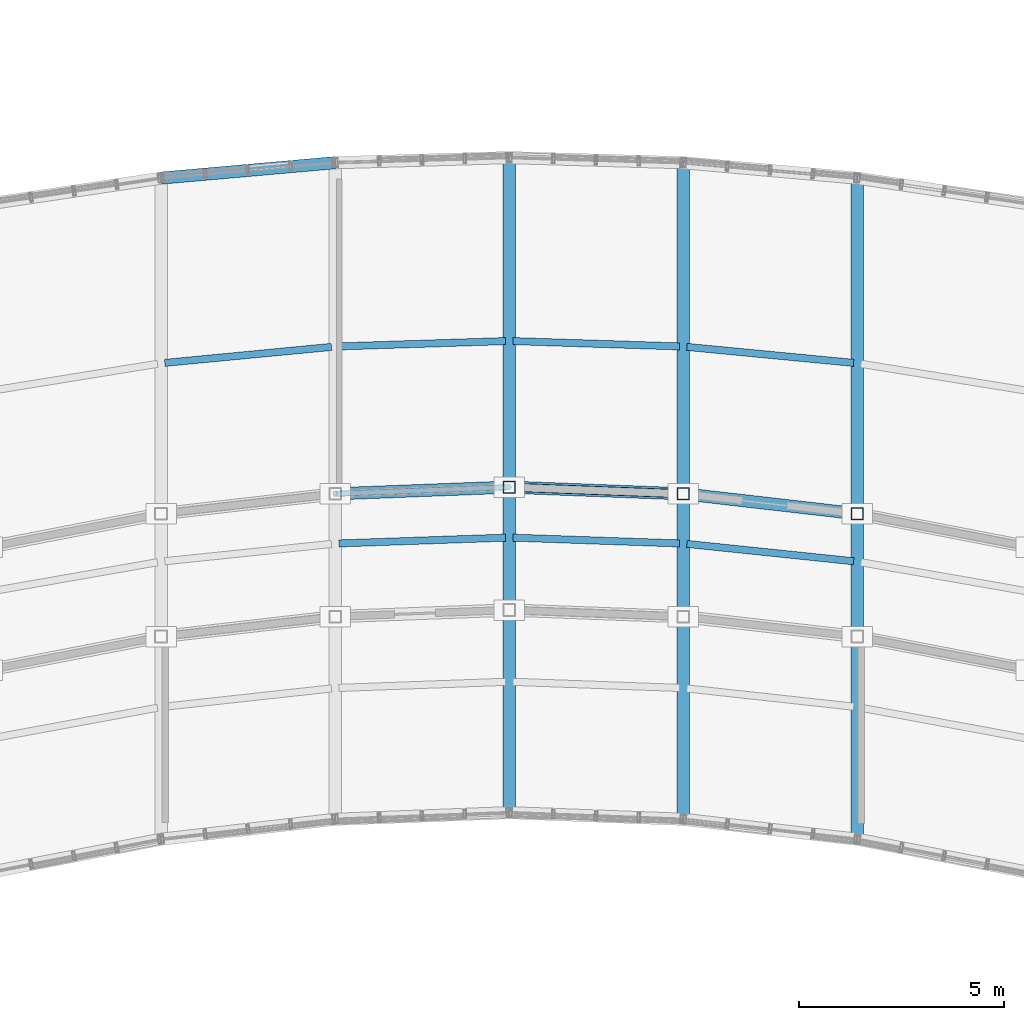
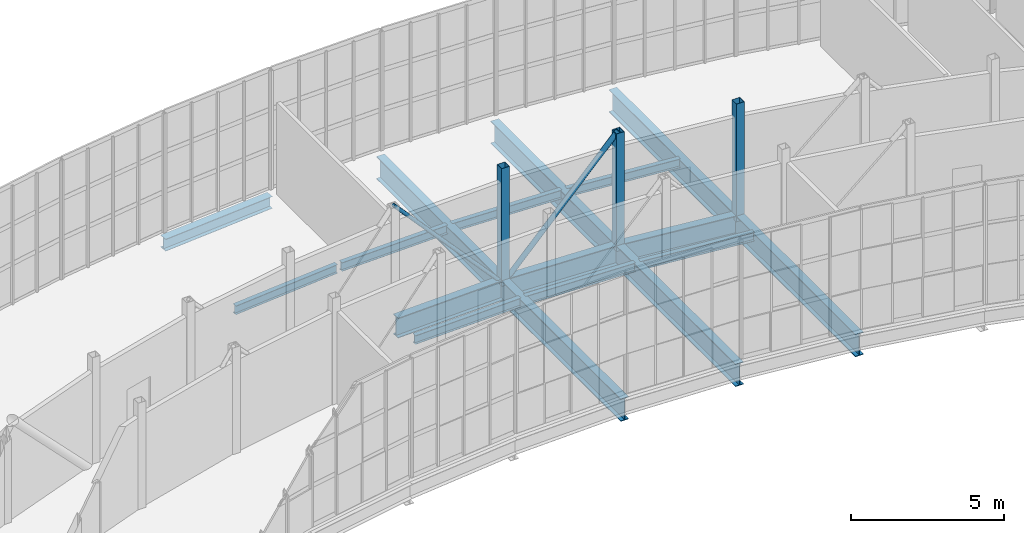
# One storey, part 44 of 86: 14 beams, 5 members.
"""IFC4 building model written with IfcOpenShell, lengths in metres."""

from ifc_helpers import new_model, si_unit, direction, frame, origin, origin_2d, place, context, subcontext, project, spatial, hollow_rectangle, hollow_circle, i_section, extrude, material, material_profile, profile_set, type_object, element, save


model = new_model("IFC4")

# Units and contexts
model_context = context("Model", 3, precision=1e-05, world=origin(), true_north=direction((0.0, 1.0)))
body_context = subcontext(model_context, "Body", "Model", "MODEL_VIEW")
ifc_project = project(units=[si_unit("LENGTHUNIT", "METRE"), si_unit("AREAUNIT", "SQUARE_METRE"), si_unit("VOLUMEUNIT", "CUBIC_METRE"), si_unit("PLANEANGLEUNIT", "RADIAN"), si_unit("MASSUNIT", "GRAM", prefix="KILO")], contexts=[model_context])

# Site, building, storey
site_placement = place(None, origin())
site = spatial("IfcSite", under=ifc_project, at=site_placement, CompositionType="ELEMENT")
building_placement = place(site_placement, origin())
building = spatial("IfcBuilding", under=site, at=building_placement, Name="Solvikara Media Centre", CompositionType="ELEMENT")
storey_placement = place(building_placement, frame((0.0, 0.0, 15.0)))
storey = spatial("IfcBuildingStorey", under=building, at=storey_placement, Name="L03", CompositionType="ELEMENT", Elevation=15.0)

# Beams
ifc_material = material(Name="Steel S355JR", Category="steel")
ifc_material_profile_1 = material_profile(ifc_material, i_section(OverallWidth=0.300048828125, OverallDepth=0.89990234375, WebThickness=0.01611328125, FlangeThickness=0.028076171875, at=origin_2d()), Name="WF 900x300x16x28")
ifc_profile_set_1 = profile_set([ifc_material_profile_1], Name="Steel S355JR")
beam_type_1 = type_object("IfcBeamType", Name="BM-15", PredefinedType="BEAM", material=ifc_profile_set_1)
beam_1_placement = place(storey_placement, frame((102.0, 25.467041015625, -0.672119140625), z_axis=(0.0, 1.0, 0.0), x_axis=(-1.0, 0.0, 0.0)))
element("IfcBeam", 1, at=beam_1_placement, inside=storey, type_object=beam_type_1, Name="BG-L03-NS-06", PredefinedType="BEAM", context=body_context, shape_type="SweptSolid", body=[
    extrude(i_section(OverallWidth=0.300048828125, OverallDepth=0.89990234375, WebThickness=0.01611328125, FlangeThickness=0.028076171875, at=origin_2d()), origin(), (0.0, 0.0, 1.0), 16.0),
])
beam_2_placement = place(storey_placement, frame((106.25, 25.304931640625, -0.672119140625), z_axis=(0.0, 1.0, 0.0), x_axis=(-1.0, 0.0, 0.0)))
element("IfcBeam", 2, at=beam_2_placement, inside=storey, type_object=beam_type_1, Name="BG-L03-NS-07", PredefinedType="BEAM", context=body_context, shape_type="SweptSolid", body=[
    extrude(i_section(OverallWidth=0.300048828125, OverallDepth=0.89990234375, WebThickness=0.01611328125, FlangeThickness=0.028076171875, at=origin_2d()), origin(), (0.0, 0.0, 1.0), 16.0361328125),
])
beam_3_placement = place(storey_placement, frame((110.5, 24.818115234375, -0.672119140625), z_axis=(0.0, 1.0, 0.0), x_axis=(-1.0, 0.0, 0.0)))
element("IfcBeam", 3, at=beam_3_placement, inside=storey, type_object=beam_type_1, Name="BG-L03-NS-08", PredefinedType="BEAM", context=body_context, shape_type="SweptSolid", body=[
    extrude(i_section(OverallWidth=0.300048828125, OverallDepth=0.89990234375, WebThickness=0.01611328125, FlangeThickness=0.028076171875, at=origin_2d()), origin(), (0.0, 0.0, 1.0), 16.14599609375),
])
ifc_material_profile_2 = material_profile(ifc_material, i_section(OverallWidth=0.300048828125, OverallDepth=0.800048828125, WebThickness=0.013916015625, FlangeThickness=0.02587890625, at=origin_2d()), Name="WF 800x300x14x26")
ifc_profile_set_2 = profile_set([ifc_material_profile_2], Name="Steel S355JR")
beam_type_2 = type_object("IfcBeamType", Name="BM-16", PredefinedType="BEAM", material=ifc_profile_set_2)
for number, where, z_axis, x_axis, name in (
    (4, (97.840087890625, 33.258056640625, -0.6220703125), (0.999266124753, 0.038304202383, 0.0), (-0.038304202383, 0.999266124753, 0.0), "B-L03-SPNN-05"),
    (5, (102.090087890625, 33.4140625, -0.6220703125), (0.999266124753, -0.038304202383, 0.0), (0.038304202383, 0.999266124753, 0.0), "B-L03-SPNN-06"),
):
    element("IfcBeam", number, at=place(storey_placement, frame(where, z_axis=z_axis, x_axis=x_axis)), inside=storey, type_object=beam_type_2, Name=name, PredefinedType="BEAM", context=body_context, shape_type="SweptSolid", body=[
        extrude(i_section(OverallWidth=0.300048828125, OverallDepth=0.800048828125, WebThickness=0.013916015625, FlangeThickness=0.02587890625, at=origin_2d()), origin(), (0.0, 0.0, 1.0), 4.07275390625),
    ])
beam_4_placement = place(storey_placement, frame((106.339111328125, 33.2451171875, -0.6220703125), z_axis=(0.993485932274, -0.113954826025, 0.0), x_axis=(0.113954826025, 0.993485932274, 0.0)))
element("IfcBeam", 6, at=beam_4_placement, inside=storey, type_object=beam_type_2, Name="B-L03-SPNN-07", PredefinedType="BEAM", context=body_context, shape_type="SweptSolid", body=[
    extrude(i_section(OverallWidth=0.300048828125, OverallDepth=0.800048828125, WebThickness=0.013916015625, FlangeThickness=0.02587890625, at=origin_2d()), origin(), (0.0, 0.0, 1.0), 4.098388671875),
])
ifc_material_profile_3 = material_profile(ifc_material, i_section(OverallWidth=0.175048828125, OverallDepth=0.35009765625, WebThickness=0.007080078125, FlangeThickness=0.010986328125, at=origin_2d()), Name="WF 350x175x7x11")
ifc_profile_set_3 = profile_set([ifc_material_profile_3], Name="Steel S355JR")
beam_type_3 = type_object("IfcBeamType", Name="BM-22", PredefinedType="JOIST", material=ifc_profile_set_3)
beam_5_placement = place(storey_placement, frame((93.590087890625, 36.451904296875, -0.39697265625), z_axis=(0.995436776487, 0.095423393451, 0.0), x_axis=(-0.095423393451, 0.995436776487, 0.0)))
element("IfcBeam", 7, at=beam_5_placement, inside=storey, type_object=beam_type_3, Name="BJ-L03-04-72", PredefinedType="JOIST", context=body_context, shape_type="SweptSolid", body=[
    extrude(i_section(OverallWidth=0.175048828125, OverallDepth=0.35009765625, WebThickness=0.007080078125, FlangeThickness=0.010986328125, at=origin_2d()), origin(), (0.0, 0.0, 1.0), 4.08837890625),
])
beam_6_placement = place(storey_placement, frame((97.840087890625, 32.04296875, -0.39697265625), z_axis=(0.999399430727, 0.034652241809, 0.0), x_axis=(-0.034652241809, 0.999399430727, 0.0)))
element("IfcBeam", 8, at=beam_6_placement, inside=storey, type_object=beam_type_3, Name="BJ-L03-05-42", PredefinedType="JOIST", context=body_context, shape_type="SweptSolid", body=[
    extrude(i_section(OverallWidth=0.175048828125, OverallDepth=0.35009765625, WebThickness=0.007080078125, FlangeThickness=0.010986328125, at=origin_2d()), origin(), (0.0, 0.0, 1.0), 4.072265625),
])
beam_7_placement = place(storey_placement, frame((97.840087890625, 36.85400390625, -0.39697265625), z_axis=(0.999491149174, 0.031897378006, 0.0), x_axis=(-0.031897378006, 0.999491149174, 0.0)))
element("IfcBeam", 9, at=beam_7_placement, inside=storey, type_object=beam_type_3, Name="BJ-L03-05-72", PredefinedType="JOIST", context=body_context, shape_type="SweptSolid", body=[
    extrude(i_section(OverallWidth=0.175048828125, OverallDepth=0.35009765625, WebThickness=0.007080078125, FlangeThickness=0.010986328125, at=origin_2d()), origin(), (0.0, 0.0, 1.0), 4.07177734375),
])
beam_8_placement = place(storey_placement, frame((102.090087890625, 32.18408203125, -0.39697265625), z_axis=(0.999399430727, -0.034652241809, 0.0), x_axis=(0.034652241809, 0.999399430727, 0.0)))
element("IfcBeam", 10, at=beam_8_placement, inside=storey, type_object=beam_type_3, Name="BJ-L03-06-42", PredefinedType="JOIST", context=body_context, shape_type="SweptSolid", body=[
    extrude(i_section(OverallWidth=0.175048828125, OverallDepth=0.35009765625, WebThickness=0.007080078125, FlangeThickness=0.010986328125, at=origin_2d()), origin(), (0.0, 0.0, 1.0), 4.072265625),
])
beam_9_placement = place(storey_placement, frame((102.090087890625, 36.98388671875, -0.39697265625), z_axis=(0.999491149174, -0.031897378006, 0.0), x_axis=(0.031897378006, 0.999491149174, 0.0)))
element("IfcBeam", 11, at=beam_9_placement, inside=storey, type_object=beam_type_3, Name="BJ-L03-06-72", PredefinedType="JOIST", context=body_context, shape_type="SweptSolid", body=[
    extrude(i_section(OverallWidth=0.175048828125, OverallDepth=0.35009765625, WebThickness=0.007080078125, FlangeThickness=0.010986328125, at=origin_2d()), origin(), (0.0, 0.0, 1.0), 4.07177734375),
])
beam_10_placement = place(storey_placement, frame((106.340087890625, 32.031005859375, -0.39697265625), z_axis=(0.99463965164, -0.103401950587, 0.0), x_axis=(0.103401950587, 0.99463965164, 0.0)))
element("IfcBeam", 12, at=beam_10_placement, inside=storey, type_object=beam_type_3, Name="BJ-L03-07-42", PredefinedType="JOIST", context=body_context, shape_type="SweptSolid", body=[
    extrude(i_section(OverallWidth=0.175048828125, OverallDepth=0.35009765625, WebThickness=0.007080078125, FlangeThickness=0.010986328125, at=origin_2d()), origin(), (0.0, 0.0, 1.0), 4.091796875),
])
beam_11_placement = place(storey_placement, frame((106.340087890625, 36.842041015625, -0.39697265625), z_axis=(0.995436776487, -0.095423393451, 0.0), x_axis=(0.095423393451, 0.995436776487, 0.0)))
element("IfcBeam", 13, at=beam_11_placement, inside=storey, type_object=beam_type_3, Name="BJ-L03-07-72", PredefinedType="JOIST", context=body_context, shape_type="SweptSolid", body=[
    extrude(i_section(OverallWidth=0.175048828125, OverallDepth=0.35009765625, WebThickness=0.007080078125, FlangeThickness=0.010986328125, at=origin_2d()), origin(), (0.0, 0.0, 1.0), 4.08837890625),
])
ifc_material_profile_4 = material_profile(ifc_material, i_section(OverallWidth=0.300048828125, OverallDepth=0.48193359375, WebThickness=0.010986328125, FlangeThickness=0.014892578125, at=origin_2d()), Name="WF 482x300x11x15")
ifc_profile_set_4 = profile_set([ifc_material_profile_4], Name="Steel S355JR")
beam_type_4 = type_object("IfcBeamType", Name="BM-32", PredefinedType="SPANDREL", material=ifc_profile_set_4)
beam_12_placement = place(storey_placement, frame((93.5, 40.964111328125, -0.462890625), z_axis=(0.996089667749, 0.088348026597, 0.0), x_axis=(-0.088348026597, 0.996089667749, 0.0)))
element("IfcBeam", 14, at=beam_12_placement, inside=storey, type_object=beam_type_4, Name="B-L03-NARC-04", PredefinedType="SPANDREL", context=body_context, shape_type="SweptSolid", body=[
    extrude(i_section(OverallWidth=0.300048828125, OverallDepth=0.48193359375, WebThickness=0.010986328125, FlangeThickness=0.014892578125, at=origin_2d()), origin(), (0.0, 0.0, 1.0), 4.2666015625),
])

# Members
ifc_material_profile_5 = material_profile(ifc_material, hollow_circle(Radius=0.096923828125, WallThickness=0.008056640625, at=origin_2d()), Name="CHS 193.7x8")
ifc_profile_set_5 = profile_set([ifc_material_profile_5], Name="Steel S355JR")
member_type_1 = type_object("IfcMemberType", Name="MB-06", PredefinedType="BRACE", material=ifc_profile_set_5)
member_1_placement = place(storey_placement, frame((102.0, 33.4169921875, -0.449951171875), z_axis=(0.67049113608, -0.025574799768, 0.741476611941), x_axis=(0.038115664855, 0.999273334025, 0.0)))
element("IfcMember", 15, at=member_1_placement, inside=storey, type_object=member_type_1, Name="WTR-L03-N-DA06", PredefinedType="BRACE", context=body_context, shape_type="SweptSolid", body=[
    extrude(hollow_circle(Radius=0.096923828125, WallThickness=0.008056640625, at=origin_2d()), origin(), (0.0, 0.0, 1.0), 6.338623046875),
])
ifc_material_profile_6 = material_profile(ifc_material, hollow_circle(Radius=0.06982421875, WallThickness=0.00634765625, at=origin_2d()), Name="CHS 139.7x6.3")
ifc_profile_set_6 = profile_set([ifc_material_profile_6], Name="Steel S355JR")
member_type_2 = type_object("IfcMemberType", Name="MB-08", PredefinedType="BRACE", material=ifc_profile_set_6)
member_2_placement = place(storey_placement, frame((97.75, 33.2548828125, 4.25), z_axis=(0.67049113608, 0.025574799768, -0.741476611941), x_axis=(-0.038115664855, 0.999273334025, 0.0)))
element("IfcMember", 16, at=member_2_placement, inside=storey, type_object=member_type_2, Name="WTR-L03-N-DB05", PredefinedType="BRACE", context=body_context, shape_type="SweptSolid", body=[
    extrude(hollow_circle(Radius=0.06982421875, WallThickness=0.00634765625, at=origin_2d()), origin(), (0.0, 0.0, 1.0), 6.338623046875),
])
ifc_material_profile_7 = material_profile(ifc_material, hollow_rectangle(XDim=0.300048828125, YDim=0.300048828125, WallThickness=0.012451171875, at=origin_2d()), Name="RHS 300x300x12.5")
ifc_profile_set_7 = profile_set([ifc_material_profile_7], Name="Steel S355JR")
member_type_3 = type_object("IfcMemberType", Name="MB-11", PredefinedType="CHORD", material=ifc_profile_set_7)
for number, where, z_axis, x_axis, name in (
    (17, (102.0, 33.4169921875, -0.449951171875), (0.0, 0.0, 1.0), (1.0, 0.0, 0.0), "WTR-L03-N-V06"),
    (18, (106.25, 33.2548828125, -0.449951171875), (0.0, 0.0, 1.0), (1.0, 0.0, 0.0), "WTR-L03-N-V07"),
    (19, (110.5, 32.76806640625, -0.449951171875), (0.0, 0.0, 1.0), (1.0, 0.0, 0.0), "WTR-L03-N-V08"),
):
    element("IfcMember", number, at=place(storey_placement, frame(where, z_axis=z_axis, x_axis=x_axis)), inside=storey, type_object=member_type_3, Name=name, PredefinedType="CHORD", context=body_context, shape_type="SweptSolid", body=[
        extrude(hollow_rectangle(XDim=0.300048828125, YDim=0.300048828125, WallThickness=0.012451171875, at=origin_2d()), origin(), (0.0, 0.0, 1.0), 4.699951171875),
    ])

save(model, "model.ifc")
